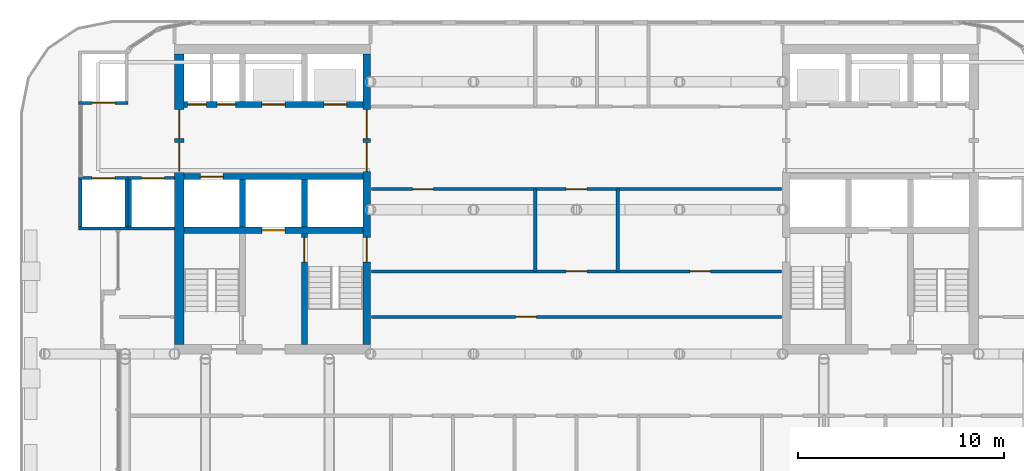
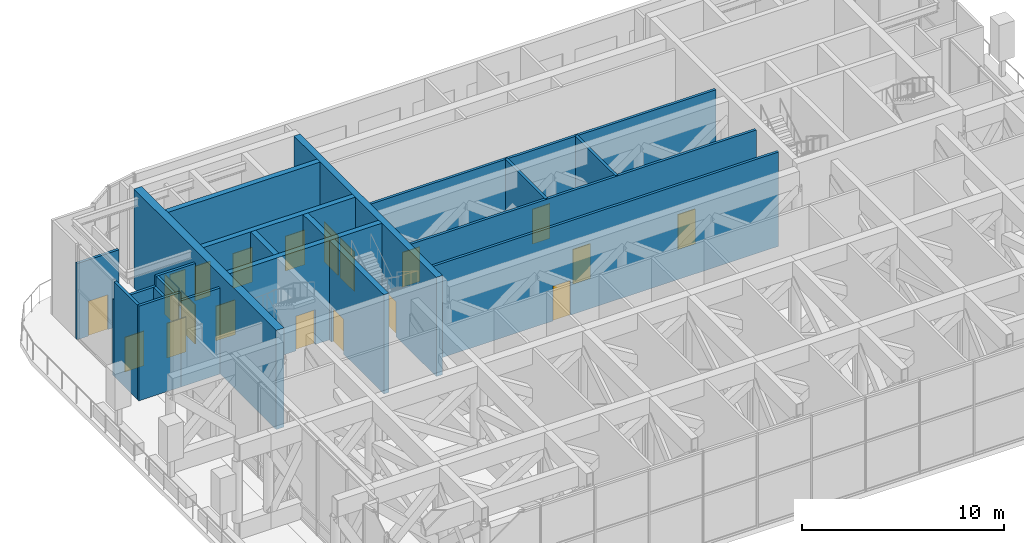
# One storey, part 13 of 21: 21 walls, 20 doors, 20 openings.
"""IFC4 building model written with IfcOpenShell, lengths in metres."""

from ifc_helpers import new_model, si_unit, direction, frame, frame_2d, origin, place, context, subcontext, project, spatial, rectangle, extrude, material, layer, layer_set, type_object, element, fill, save


model = new_model("IFC4")

# Units and contexts
model_context = context("Model", 3, precision=1e-05, world=origin(), true_north=direction((0.0, 1.0)))
body_context = subcontext(model_context, "Body", "Model", "MODEL_VIEW")
ifc_project = project(units=[si_unit("LENGTHUNIT", "METRE"), si_unit("AREAUNIT", "SQUARE_METRE"), si_unit("VOLUMEUNIT", "CUBIC_METRE"), si_unit("PLANEANGLEUNIT", "RADIAN"), si_unit("MASSUNIT", "GRAM", prefix="KILO")], contexts=[model_context])

# Site, building, storey
site_placement = place(None, origin())
site = spatial("IfcSite", under=ifc_project, at=site_placement, CompositionType="ELEMENT")
building_placement = place(site_placement, origin())
building = spatial("IfcBuilding", under=site, at=building_placement, Name="Torana Hotel and Residences", CompositionType="ELEMENT")
storey_placement = place(building_placement, frame((0.0, 0.0, 246.60009765625)))
storey = spatial("IfcBuildingStorey", under=building, at=storey_placement, Name="L65", CompositionType="ELEMENT", Elevation=246.60009765625)

# Wall, openings, doors
ifc_material_1 = material(Name="Concrete C60/75", Category="concrete")
ifc_layer_1 = layer(ifc_material_1, 0.300048828125)
ifc_layer_set_1 = layer_set([ifc_layer_1], Name="CORE WALL 300 C60/75")
wall_type_1 = type_object("IfcWallType", Name="CORE WALL 300 C60/75", PredefinedType="SHEAR", material=ifc_layer_set_1)
wall_1_placement = place(storey_placement, frame((-19.050048828125, -2.89990234375, 0.0), z_axis=(0.0, 0.0, 1.0), x_axis=(1.0, 0.0, 0.0)))
wall_1 = element("IfcWall", 1, at=wall_1_placement, inside=storey, type_object=wall_type_1, Name="Core wall W row-N", PredefinedType="SHEAR", context=body_context, shape_type="SweptSolid", body=[
    extrude(rectangle(XDim=8.699951171875, YDim=0.300048828125, at=frame_2d((4.35009765625, 0.0))), origin(), (0.0, 0.0, 1.0), 6.0),
])
opening_1_placement = place(wall_1_placement, frame((6.800048828125, 0.0, 0.0)))
opening_1 = element("IfcOpeningElement", 2, at=opening_1_placement, cuts=wall_1, Name="Opening LD", PredefinedType="OPENING", context=body_context, shape_type="SweptSolid", body=[
    extrude(rectangle(XDim=1.10009765625, YDim=2.10009765625, at=frame_2d((0.550048828125, 1.050048828125))), frame((0.0, 0.159912109375, 0.0), z_axis=(0.0, -1.0, 0.0), x_axis=(1.0, 0.0, 0.0)), (0.0, 0.0, 1.0), 0.320068359375),
])
opening_2_placement = place(wall_1_placement, frame((3.800048828125, 0.0, 0.0)))
opening_2 = element("IfcOpeningElement", 3, at=opening_2_placement, cuts=wall_1, Name="Opening LD", PredefinedType="OPENING", context=body_context, shape_type="SweptSolid", body=[
    extrude(rectangle(XDim=1.10009765625, YDim=2.10009765625, at=frame_2d((0.550048828125, 1.050048828125))), frame((0.0, 0.159912109375, 0.0), z_axis=(0.0, -1.0, 0.0), x_axis=(1.0, 0.0, 0.0)), (0.0, 0.0, 1.0), 0.320068359375),
])
opening_3_placement = place(wall_1_placement, frame((1.612548828125, 0.0, 0.0)))
opening_3 = element("IfcOpeningElement", 4, at=opening_3_placement, cuts=wall_1, Name="Opening L65-10", PredefinedType="OPENING", context=body_context, shape_type="SweptSolid", body=[
    extrude(rectangle(XDim=0.89990234375, YDim=2.10009765625, at=frame_2d((0.449951171875, 1.050048828125))), frame((0.0, 0.159912109375, 0.0), z_axis=(0.0, -1.0, 0.0), x_axis=(1.0, 0.0, 0.0)), (0.0, 0.0, 1.0), 0.320068359375),
])
opening_4_placement = place(wall_1_placement, frame((0.1875, 0.0, 0.0)))
opening_4 = element("IfcOpeningElement", 5, at=opening_4_placement, cuts=wall_1, Name="Opening L65-11", PredefinedType="OPENING", context=body_context, shape_type="SweptSolid", body=[
    extrude(rectangle(XDim=0.89990234375, YDim=2.10009765625, at=frame_2d((0.449951171875, 1.050048828125))), frame((0.0, 0.159912109375, 0.0), z_axis=(0.0, -1.0, 0.0), x_axis=(1.0, 0.0, 0.0)), (0.0, 0.0, 1.0), 0.320068359375),
])
ifc_material_2 = material(Name="Stainless steel 316", Category="steel")
door_type_1 = type_object("IfcDoorType", Name="LIFT LANDING DOOR LD 1100x2100", OperationType="DOUBLE_DOOR_SLIDING", PredefinedType="USERDEFINED", material=ifc_material_2)
door_1_placement = place(opening_1_placement, origin())
door_1 = element("IfcDoor", 6, at=door_1_placement, inside=storey, type_object=door_type_1, Name="Lift landing door H1 L65", ObjectType="LIFT LANDING DOOR", OperationType="DOUBLE_DOOR_SLIDING", OverallHeight=2.10009765625, OverallWidth=1.10009765625, PredefinedType="USERDEFINED", context=body_context, shape_type="SweptSolid", body=[
    extrude(rectangle(XDim=1.10009765625, YDim=2.10009765625, at=frame_2d((0.550048828125, 1.050048828125))), frame((0.0, 0.02490234375, 0.0), z_axis=(0.0, -1.0, 0.0), x_axis=(1.0, 0.0, 0.0)), (0.0, 0.0, 1.0), 0.050048828125),
])
fill(opening_1, door_1)
door_2_placement = place(opening_2_placement, origin())
door_2 = element("IfcDoor", 7, at=door_2_placement, inside=storey, type_object=door_type_1, Name="Lift landing door H2 L65", ObjectType="LIFT LANDING DOOR", OperationType="DOUBLE_DOOR_SLIDING", OverallHeight=2.10009765625, OverallWidth=1.10009765625, PredefinedType="USERDEFINED", context=body_context, shape_type="SweptSolid", body=[
    extrude(rectangle(XDim=1.10009765625, YDim=2.10009765625, at=frame_2d((0.550048828125, 1.050048828125))), frame((0.0, 0.02490234375, 0.0), z_axis=(0.0, -1.0, 0.0), x_axis=(1.0, 0.0, 0.0)), (0.0, 0.0, 1.0), 0.050048828125),
])
fill(opening_2, door_2)
ifc_material_3 = material(Name="Steel S235", Category="steel")
door_type_2 = type_object("IfcDoorType", Name="RISER ACCESS DOOR D5 900x2100", OperationType="SINGLE_SWING_LEFT", PredefinedType="DOOR", material=ifc_material_3)
door_3_placement = place(opening_3_placement, origin())
door_3 = element("IfcDoor", 8, at=door_3_placement, inside=storey, type_object=door_type_2, Name="N2A door L65", OperationType="SINGLE_SWING_RIGHT", OverallHeight=2.10009765625, OverallWidth=0.89990234375, PredefinedType="DOOR", context=body_context, shape_type="SweptSolid", body=[
    extrude(rectangle(XDim=0.89990234375, YDim=2.10009765625, at=frame_2d((0.449951171875, 1.050048828125))), frame((0.0, 0.02490234375, 0.0), z_axis=(0.0, -1.0, 0.0), x_axis=(1.0, 0.0, 0.0)), (0.0, 0.0, 1.0), 0.050048828125),
])
fill(opening_3, door_3)
door_4_placement = place(opening_4_placement, origin())
door_4 = element("IfcDoor", 9, at=door_4_placement, inside=storey, type_object=door_type_2, Name="N2B door L65", OperationType="SINGLE_SWING_RIGHT", OverallHeight=2.10009765625, OverallWidth=0.89990234375, PredefinedType="DOOR", context=body_context, shape_type="SweptSolid", body=[
    extrude(rectangle(XDim=0.89990234375, YDim=2.10009765625, at=frame_2d((0.449951171875, 1.050048828125))), frame((0.0, 0.02490234375, 0.0), z_axis=(0.0, -1.0, 0.0), x_axis=(1.0, 0.0, 0.0)), (0.0, 0.0, 1.0), 0.050048828125),
])
fill(opening_4, door_4)

# Wall, opening, door
wall_2_placement = place(storey_placement, frame((-19.050048828125, -6.39990234375, 0.0), z_axis=(0.0, 0.0, 1.0), x_axis=(1.0, 0.0, 0.0)))
wall_2 = element("IfcWall", 10, at=wall_2_placement, inside=storey, type_object=wall_type_1, Name="Core wall W row-S", PredefinedType="SHEAR", context=body_context, shape_type="SweptSolid", body=[
    extrude(rectangle(XDim=8.699951171875, YDim=0.300048828125, at=frame_2d((4.35009765625, 0.0))), origin(), (0.0, 0.0, 1.0), 6.0),
])
opening_5_placement = place(wall_2_placement, frame((0.800048828125, 0.0, 0.0)))
opening_5 = element("IfcOpeningElement", 11, at=opening_5_placement, cuts=wall_2, Name="Opening LD", PredefinedType="OPENING", context=body_context, shape_type="SweptSolid", body=[
    extrude(rectangle(XDim=1.10009765625, YDim=2.10009765625, at=frame_2d((0.550048828125, 1.050048828125))), frame((0.0, 0.159912109375, 0.0), z_axis=(0.0, -1.0, 0.0), x_axis=(1.0, 0.0, 0.0)), (0.0, 0.0, 1.0), 0.320068359375),
])
door_5_placement = place(opening_5_placement, origin())
door_5 = element("IfcDoor", 12, at=door_5_placement, inside=storey, type_object=door_type_1, Name="Lift landing door SV1 L65", ObjectType="LIFT LANDING DOOR", OperationType="DOUBLE_DOOR_SLIDING", OverallHeight=2.10009765625, OverallWidth=1.10009765625, PredefinedType="USERDEFINED", context=body_context, shape_type="SweptSolid", body=[
    extrude(rectangle(XDim=1.10009765625, YDim=2.10009765625, at=frame_2d((0.550048828125, 1.050048828125))), frame((0.0, 0.02490234375, 0.0), z_axis=(0.0, -1.0, 0.0), x_axis=(1.0, 0.0, 0.0)), (0.0, 0.0, 1.0), 0.050048828125),
])
fill(opening_5, door_5)

wall_3_placement = place(storey_placement, frame((-19.050048828125, -9.0, 0.0), z_axis=(0.0, 0.0, 1.0), x_axis=(1.0, 0.0, 0.0)))
wall_3 = element("IfcWall", 13, at=wall_3_placement, inside=storey, type_object=wall_type_1, Name="Core wall W band", PredefinedType="SHEAR", context=body_context, shape_type="SweptSolid", body=[
    extrude(rectangle(XDim=8.699951171875, YDim=0.300048828125, at=frame_2d((4.35009765625, 0.0))), origin(), (0.0, 0.0, 1.0), 6.0),
])
opening_6_placement = place(wall_3_placement, frame((3.800048828125, 0.0, 0.0)))
opening_6 = element("IfcOpeningElement", 14, at=opening_6_placement, cuts=wall_3, Name="Opening LD", PredefinedType="OPENING", context=body_context, shape_type="SweptSolid", body=[
    extrude(rectangle(XDim=1.10009765625, YDim=2.10009765625, at=frame_2d((0.550048828125, 1.050048828125))), frame((0.0, 0.159912109375, 0.0), z_axis=(0.0, -1.0, 0.0), x_axis=(1.0, 0.0, 0.0)), (0.0, 0.0, 1.0), 0.320068359375),
])
door_6_placement = place(opening_6_placement, origin())
door_6 = element("IfcDoor", 15, at=door_6_placement, inside=storey, type_object=door_type_1, Name="Lift landing door FF1 L65", ObjectType="LIFT LANDING DOOR", OperationType="DOUBLE_DOOR_SLIDING", OverallHeight=2.10009765625, OverallWidth=1.10009765625, PredefinedType="USERDEFINED", context=body_context, shape_type="SweptSolid", body=[
    extrude(rectangle(XDim=1.10009765625, YDim=2.10009765625, at=frame_2d((0.550048828125, 1.050048828125))), frame((0.0, 0.02490234375, 0.0), z_axis=(0.0, -1.0, 0.0), x_axis=(1.0, 0.0, 0.0)), (0.0, 0.0, 1.0), 0.050048828125),
])
fill(opening_6, door_6)

# Wall
wall_4_placement = place(storey_placement, frame((-13.199951171875, -8.85009765625, 0.0), z_axis=(0.0, 0.0, 1.0), x_axis=(0.0, 1.0, 0.0)))
element("IfcWall", 16, at=wall_4_placement, inside=storey, type_object=wall_type_1, Name="Core wall W x3.05-S", PredefinedType="SHEAR", context=body_context, shape_type="SweptSolid", body=[
    extrude(rectangle(XDim=2.300048828125, YDim=0.300048828125, at=frame_2d((1.14990234375, 0.0))), origin(), (0.0, 0.0, 1.0), 6.0),
])

# Wall, opening, door
wall_5_placement = place(storey_placement, frame((-13.199951171875, -14.550048828125, 0.0), z_axis=(0.0, 0.0, 1.0), x_axis=(0.0, 1.0, 0.0)))
wall_5 = element("IfcWall", 17, at=wall_5_placement, inside=storey, type_object=wall_type_1, Name="Core wall W x3.05-band", PredefinedType="SHEAR", context=body_context, shape_type="SweptSolid", body=[
    extrude(rectangle(XDim=5.400146484375, YDim=0.300048828125, at=frame_2d((2.7001953125, 0.0))), origin(), (0.0, 0.0, 1.0), 6.0),
])
opening_7_placement = place(wall_5_placement, frame((4.0, 0.0, 0.0)))
opening_7 = element("IfcOpeningElement", 18, at=opening_7_placement, cuts=wall_5, Name="Opening L65-12", PredefinedType="OPENING", context=body_context, shape_type="SweptSolid", body=[
    extrude(rectangle(XDim=1.199951171875, YDim=2.10009765625, at=frame_2d((0.60009765625, 1.050048828125))), frame((0.0, 0.159912109375, 0.0), z_axis=(0.0, -1.0, 0.0), x_axis=(1.0, 0.0, 0.0)), (0.0, 0.0, 1.0), 0.320068359375),
])
ifc_material_4 = material(Name="Steel S235", Category="steel")
door_type_3 = type_object("IfcDoorType", Name="STAIR FIRE DOOR D3 1200x2100", OperationType="SINGLE_SWING_LEFT", PredefinedType="DOOR", material=ifc_material_4)
door_7_placement = place(opening_7_placement, frame((0.60009765625, 0.0, 0.0), z_axis=(0.0, 0.0, 1.0), x_axis=(-1.0, 0.0, 0.0)))
door_7 = element("IfcDoor", 19, at=door_7_placement, inside=storey, type_object=door_type_3, Name="Stair-A-lobby door L65", OperationType="SINGLE_SWING_RIGHT", OverallHeight=2.10009765625, OverallWidth=1.199951171875, PredefinedType="DOOR", context=body_context, shape_type="SweptSolid", body=[
    extrude(rectangle(XDim=1.199951171875, YDim=2.10009765625, at=frame_2d((0.0, 1.050048828125))), frame((0.0, -0.02490234375, 0.0), z_axis=(0.0, 1.0, 0.0), x_axis=(-1.0, 0.0, 0.0)), (0.0, 0.0, 1.0), 0.050048828125),
])
fill(opening_7, door_7)

# Wall
wall_6_placement = place(storey_placement, frame((-16.199951171875, -8.85009765625, 0.0), z_axis=(0.0, 0.0, 1.0), x_axis=(0.0, 1.0, 0.0)))
element("IfcWall", 20, at=wall_6_placement, inside=storey, type_object=wall_type_1, Name="Core wall W x6.05-S", PredefinedType="SHEAR", context=body_context, shape_type="SweptSolid", body=[
    extrude(rectangle(XDim=2.300048828125, YDim=0.300048828125, at=frame_2d((1.14990234375, 0.0))), origin(), (0.0, 0.0, 1.0), 6.0),
])

# Wall, openings, doors
ifc_material_5 = material(Name="Concrete C60/75", Category="concrete")
ifc_layer_2 = layer(ifc_material_5, 0.35009765625)
ifc_layer_set_2 = layer_set([ifc_layer_2], Name="CORE WALL 350 C60/75")
wall_type_2 = type_object("IfcWallType", Name="CORE WALL 350 C60/75", PredefinedType="SHEAR", material=ifc_layer_set_2)
wall_7_placement = place(storey_placement, frame((-10.175048828125, -14.550048828125, 0.0), z_axis=(0.0, 0.0, 1.0), x_axis=(0.0, 1.0, 0.0)))
wall_7 = element("IfcWall", 21, at=wall_7_placement, inside=storey, type_object=wall_type_2, Name="Core wall W arch", PredefinedType="SHEAR", context=body_context, shape_type="SweptSolid", body=[
    extrude(rectangle(XDim=14.10009765625, YDim=0.35009765625, at=frame_2d((7.050048828125, 0.0))), origin(), (0.0, 0.0, 1.0), 6.0),
])
opening_8_placement = place(wall_7_placement, frame((8.39990234375, 0.0, 0.0)))
opening_8 = element("IfcOpeningElement", 22, at=opening_8_placement, cuts=wall_7, Name="Opening L65-05", PredefinedType="OPENING", context=body_context, shape_type="SweptSolid", body=[
    extrude(rectangle(XDim=1.39990234375, YDim=2.39990234375, at=frame_2d((0.699951171875, 1.199951171875))), frame((0.0, 0.18505859375, 0.0), z_axis=(0.0, -1.0, 0.0), x_axis=(1.0, 0.0, 0.0)), (0.0, 0.0, 1.0), 0.3701171875),
])
opening_9_placement = place(wall_7_placement, frame((10.0, 0.0, 0.0)))
opening_9 = element("IfcOpeningElement", 23, at=opening_9_placement, cuts=wall_7, Name="Opening L65-06", PredefinedType="OPENING", context=body_context, shape_type="SweptSolid", body=[
    extrude(rectangle(XDim=1.39990234375, YDim=2.39990234375, at=frame_2d((0.699951171875, 1.199951171875))), frame((0.0, 0.18505859375, 0.0), z_axis=(0.0, -1.0, 0.0), x_axis=(1.0, 0.0, 0.0)), (0.0, 0.0, 1.0), 0.3701171875),
])
opening_10_placement = place(wall_7_placement, frame((4.0, 0.0, 0.0)))
opening_10 = element("IfcOpeningElement", 24, at=opening_10_placement, cuts=wall_7, Name="Opening L65-07", PredefinedType="OPENING", context=body_context, shape_type="SweptSolid", body=[
    extrude(rectangle(XDim=1.199951171875, YDim=2.10009765625, at=frame_2d((0.60009765625, 1.050048828125))), frame((0.0, 0.18505859375, 0.0), z_axis=(0.0, -1.0, 0.0), x_axis=(1.0, 0.0, 0.0)), (0.0, 0.0, 1.0), 0.3701171875),
])
ifc_material_6 = material(Name="Steel S235", Category="steel")
door_type_4 = type_object("IfcDoorType", Name="LOBBY FIRE DOOR D4 1400x2400", OperationType="DOUBLE_DOOR_SINGLE_SWING", PredefinedType="DOOR", material=ifc_material_6)
door_8_placement = place(opening_8_placement, origin())
door_8 = element("IfcDoor", 25, at=door_8_placement, inside=storey, type_object=door_type_4, Name="Lobby-1 door L65", OperationType="DOUBLE_DOOR_SINGLE_SWING", OverallHeight=2.39990234375, OverallWidth=1.39990234375, PredefinedType="DOOR", context=body_context, shape_type="SweptSolid", body=[
    extrude(rectangle(XDim=1.39990234375, YDim=2.39990234375, at=frame_2d((0.699951171875, 1.199951171875))), frame((0.0, 0.02490234375, 0.0), z_axis=(0.0, -1.0, 0.0), x_axis=(1.0, 0.0, 0.0)), (0.0, 0.0, 1.0), 0.050048828125),
])
fill(opening_8, door_8)
door_9_placement = place(opening_9_placement, origin())
door_9 = element("IfcDoor", 26, at=door_9_placement, inside=storey, type_object=door_type_4, Name="Lobby-2 door L65", OperationType="DOUBLE_DOOR_SINGLE_SWING", OverallHeight=2.39990234375, OverallWidth=1.39990234375, PredefinedType="DOOR", context=body_context, shape_type="SweptSolid", body=[
    extrude(rectangle(XDim=1.39990234375, YDim=2.39990234375, at=frame_2d((0.699951171875, 1.199951171875))), frame((0.0, 0.02490234375, 0.0), z_axis=(0.0, -1.0, 0.0), x_axis=(1.0, 0.0, 0.0)), (0.0, 0.0, 1.0), 0.050048828125),
])
fill(opening_9, door_9)
door_10_placement = place(opening_10_placement, origin())
door_10 = element("IfcDoor", 27, at=door_10_placement, inside=storey, type_object=door_type_3, Name="Stair-A door L65", OperationType="SINGLE_SWING_LEFT", OverallHeight=2.10009765625, OverallWidth=1.199951171875, PredefinedType="DOOR", context=body_context, shape_type="SweptSolid", body=[
    extrude(rectangle(XDim=1.199951171875, YDim=2.10009765625, at=frame_2d((0.60009765625, 1.050048828125))), frame((0.0, 0.02490234375, 0.0), z_axis=(0.0, -1.0, 0.0), x_axis=(1.0, 0.0, 0.0)), (0.0, 0.0, 1.0), 0.050048828125),
])
fill(opening_10, door_10)

ifc_material_7 = material(Name="Concrete C60/75", Category="concrete")
ifc_layer_3 = layer(ifc_material_7, 0.449951171875)
ifc_layer_set_3 = layer_set([ifc_layer_3], Name="CORE WALL 450 C60/75")
wall_type_3 = type_object("IfcWallType", Name="CORE WALL 450 C60/75", PredefinedType="SHEAR", material=ifc_layer_set_3)
wall_8_placement = place(storey_placement, frame((-19.27490234375, -14.550048828125, 0.0), z_axis=(0.0, 0.0, 1.0), x_axis=(0.0, 1.0, 0.0)))
wall_8 = element("IfcWall", 28, at=wall_8_placement, inside=storey, type_object=wall_type_3, Name="Core wall W outer", PredefinedType="SHEAR", context=body_context, shape_type="SweptSolid", body=[
    extrude(rectangle(XDim=14.10009765625, YDim=0.449951171875, at=frame_2d((7.050048828125, 0.0))), origin(), (0.0, 0.0, 1.0), 6.0),
])
opening_11_placement = place(wall_8_placement, frame((8.39990234375, 0.0, 0.0)))
opening_11 = element("IfcOpeningElement", 29, at=opening_11_placement, cuts=wall_8, Name="Opening L65-01", PredefinedType="OPENING", context=body_context, shape_type="SweptSolid", body=[
    extrude(rectangle(XDim=1.39990234375, YDim=2.39990234375, at=frame_2d((0.699951171875, 1.199951171875))), frame((0.0, 0.23486328125, 0.0), z_axis=(0.0, -1.0, 0.0), x_axis=(1.0, 0.0, 0.0)), (0.0, 0.0, 1.0), 0.469970703125),
])
opening_12_placement = place(wall_8_placement, frame((10.0, 0.0, 0.0)))
opening_12 = element("IfcOpeningElement", 30, at=opening_12_placement, cuts=wall_8, Name="Opening L65-02", PredefinedType="OPENING", context=body_context, shape_type="SweptSolid", body=[
    extrude(rectangle(XDim=1.39990234375, YDim=2.39990234375, at=frame_2d((0.699951171875, 1.199951171875))), frame((0.0, 0.23486328125, 0.0), z_axis=(0.0, -1.0, 0.0), x_axis=(1.0, 0.0, 0.0)), (0.0, 0.0, 1.0), 0.469970703125),
])
door_11_placement = place(opening_11_placement, origin())
door_11 = element("IfcDoor", 31, at=door_11_placement, inside=storey, type_object=door_type_4, Name="Lobby-M1 door L65", OperationType="DOUBLE_DOOR_SINGLE_SWING", OverallHeight=2.39990234375, OverallWidth=1.39990234375, PredefinedType="DOOR", context=body_context, shape_type="SweptSolid", body=[
    extrude(rectangle(XDim=1.39990234375, YDim=2.39990234375, at=frame_2d((0.699951171875, 1.199951171875))), frame((0.0, 0.02490234375, 0.0), z_axis=(0.0, -1.0, 0.0), x_axis=(1.0, 0.0, 0.0)), (0.0, 0.0, 1.0), 0.050048828125),
])
fill(opening_11, door_11)
door_12_placement = place(opening_12_placement, origin())
door_12 = element("IfcDoor", 32, at=door_12_placement, inside=storey, type_object=door_type_4, Name="Lobby-M2 door L65", OperationType="DOUBLE_DOOR_SINGLE_SWING", OverallHeight=2.39990234375, OverallWidth=1.39990234375, PredefinedType="DOOR", context=body_context, shape_type="SweptSolid", body=[
    extrude(rectangle(XDim=1.39990234375, YDim=2.39990234375, at=frame_2d((0.699951171875, 1.199951171875))), frame((0.0, 0.02490234375, 0.0), z_axis=(0.0, -1.0, 0.0), x_axis=(1.0, 0.0, 0.0)), (0.0, 0.0, 1.0), 0.050048828125),
])
fill(opening_12, door_12)

# Walls
ifc_material_8 = material(Name="Gypsum plaster")
ifc_layer_4 = layer(ifc_material_8, 0.014892578125, Name="Plaster", Category="finish")
ifc_material_9 = material(Name="Concrete blockwork", Category="masonry")
ifc_layer_5 = layer(ifc_material_9, 0.1201171875, Name="Blockwork", Category="structure")
ifc_layer_6 = layer(ifc_material_8, 0.014892578125, Name="Plaster", Category="finish")
ifc_layer_set_4 = layer_set([ifc_layer_4, ifc_layer_5, ifc_layer_6], Name="FIRE PARTITION 150 BLOCKWORK")
wall_type_4 = type_object("IfcWallType", Name="FIRE PARTITION 150 BLOCKWORK", PredefinedType="PARTITIONING", material=ifc_layer_set_4)
for number, where, z_axis, x_axis, name in (
    (33, (2.0, -11.0, 0.0), (0.0, 0.0, 1.0), (0.0, 1.0, 0.0), "Partition L65"),
    (34, (-2.0, -11.0, 0.0), (0.0, 0.0, 1.0), (0.0, 1.0, 0.0), "Partition L65"),
):
    element("IfcWall", number, at=place(storey_placement, frame(where, z_axis=z_axis, x_axis=x_axis)), inside=storey, type_object=wall_type_4, Name=name, PredefinedType="PARTITIONING", context=body_context, shape_type="SweptSolid", body=[
        extrude(rectangle(XDim=4.0, YDim=0.14990234375, at=frame_2d((2.0, 0.0))), origin(), (0.0, 0.0, 1.0), 5.699951171875),
    ])

# Wall, opening, door
wall_9_placement = place(storey_placement, frame((-9.949951171875, -13.199951171875, 0.0), z_axis=(0.0, 0.0, 1.0), x_axis=(1.0, 0.0, 0.0)))
wall_9 = element("IfcWall", 35, at=wall_9_placement, inside=storey, type_object=wall_type_4, Name="Partition L65", PredefinedType="PARTITIONING", context=body_context, shape_type="SweptSolid", body=[
    extrude(rectangle(XDim=19.89990234375, YDim=0.14990234375, at=frame_2d((9.949951171875, 0.0))), origin(), (0.0, 0.0, 1.0), 5.699951171875),
])
opening_13_placement = place(wall_9_placement, frame((7.0, 0.0, 0.0)))
opening_13 = element("IfcOpeningElement", 36, at=opening_13_placement, cuts=wall_9, Name="Opening L65-23", PredefinedType="OPENING", context=body_context, shape_type="SweptSolid", body=[
    extrude(rectangle(XDim=1.0, YDim=2.10009765625, at=frame_2d((0.5, 1.050048828125))), frame((0.0, 0.0849609375, 0.0), z_axis=(0.0, -1.0, 0.0), x_axis=(1.0, 0.0, 0.0)), (0.0, 0.0, 1.0), 0.169921875),
])
ifc_material_10 = material(Name="Steel S235", Category="steel")
door_type_5 = type_object("IfcDoorType", Name="ENTRY FIRE DOOR D6 1000x2100", OperationType="SINGLE_SWING_LEFT", PredefinedType="DOOR", material=ifc_material_10)
door_13_placement = place(opening_13_placement, origin())
door_13 = element("IfcDoor", 37, at=door_13_placement, inside=storey, type_object=door_type_5, Name="Door L65", OperationType="SINGLE_SWING_RIGHT", OverallHeight=2.10009765625, OverallWidth=1.0, PredefinedType="DOOR", context=body_context, shape_type="SweptSolid", body=[
    extrude(rectangle(XDim=1.0, YDim=2.10009765625, at=frame_2d((0.5, 1.050048828125))), frame((0.0, 0.02490234375, 0.0), z_axis=(0.0, -1.0, 0.0), x_axis=(1.0, 0.0, 0.0)), (0.0, 0.0, 1.0), 0.050048828125),
])
fill(opening_13, door_13)

# Wall, openings, doors
wall_10_placement = place(storey_placement, frame((-9.949951171875, -11.0, 0.0), z_axis=(0.0, 0.0, 1.0), x_axis=(1.0, 0.0, 0.0)))
wall_10 = element("IfcWall", 38, at=wall_10_placement, inside=storey, type_object=wall_type_4, Name="Partition L65", PredefinedType="PARTITIONING", context=body_context, shape_type="SweptSolid", body=[
    extrude(rectangle(XDim=19.89990234375, YDim=0.14990234375, at=frame_2d((9.949951171875, 0.0))), origin(), (0.0, 0.0, 1.0), 5.699951171875),
])
opening_14_placement = place(wall_10_placement, frame((9.449951171875, 0.0, 0.0)))
opening_14 = element("IfcOpeningElement", 39, at=opening_14_placement, cuts=wall_10, Name="Opening L65-35", PredefinedType="OPENING", context=body_context, shape_type="SweptSolid", body=[
    extrude(rectangle(XDim=1.0, YDim=2.10009765625, at=frame_2d((0.5, 1.050048828125))), frame((0.0, 0.0849609375, 0.0), z_axis=(0.0, -1.0, 0.0), x_axis=(1.0, 0.0, 0.0)), (0.0, 0.0, 1.0), 0.169921875),
])
opening_15_placement = place(wall_10_placement, frame((15.449951171875, 0.0, 0.0)))
opening_15 = element("IfcOpeningElement", 40, at=opening_15_placement, cuts=wall_10, Name="Opening L65-36", PredefinedType="OPENING", context=body_context, shape_type="SweptSolid", body=[
    extrude(rectangle(XDim=1.0, YDim=2.10009765625, at=frame_2d((0.5, 1.050048828125))), frame((0.0, 0.0849609375, 0.0), z_axis=(0.0, -1.0, 0.0), x_axis=(1.0, 0.0, 0.0)), (0.0, 0.0, 1.0), 0.169921875),
])
door_14_placement = place(opening_14_placement, origin())
door_14 = element("IfcDoor", 41, at=door_14_placement, inside=storey, type_object=door_type_5, Name="Door L65", OperationType="SINGLE_SWING_RIGHT", OverallHeight=2.10009765625, OverallWidth=1.0, PredefinedType="DOOR", context=body_context, shape_type="SweptSolid", body=[
    extrude(rectangle(XDim=1.0, YDim=2.10009765625, at=frame_2d((0.5, 1.050048828125))), frame((0.0, 0.02490234375, 0.0), z_axis=(0.0, -1.0, 0.0), x_axis=(1.0, 0.0, 0.0)), (0.0, 0.0, 1.0), 0.050048828125),
])
fill(opening_14, door_14)
door_15_placement = place(opening_15_placement, origin())
door_15 = element("IfcDoor", 42, at=door_15_placement, inside=storey, type_object=door_type_5, Name="Door L65", OperationType="SINGLE_SWING_RIGHT", OverallHeight=2.10009765625, OverallWidth=1.0, PredefinedType="DOOR", context=body_context, shape_type="SweptSolid", body=[
    extrude(rectangle(XDim=1.0, YDim=2.10009765625, at=frame_2d((0.5, 1.050048828125))), frame((0.0, 0.02490234375, 0.0), z_axis=(0.0, -1.0, 0.0), x_axis=(1.0, 0.0, 0.0)), (0.0, 0.0, 1.0), 0.050048828125),
])
fill(opening_15, door_15)

wall_11_placement = place(storey_placement, frame((-9.949951171875, -7.0, 0.0), z_axis=(0.0, 0.0, 1.0), x_axis=(1.0, 0.0, 0.0)))
wall_11 = element("IfcWall", 43, at=wall_11_placement, inside=storey, type_object=wall_type_4, Name="Partition L65", PredefinedType="PARTITIONING", context=body_context, shape_type="SweptSolid", body=[
    extrude(rectangle(XDim=19.89990234375, YDim=0.14990234375, at=frame_2d((9.949951171875, 0.0))), origin(), (0.0, 0.0, 1.0), 5.699951171875),
])
opening_16_placement = place(wall_11_placement, frame((9.449951171875, 0.0, 0.0)))
opening_16 = element("IfcOpeningElement", 44, at=opening_16_placement, cuts=wall_11, Name="Opening L65-37", PredefinedType="OPENING", context=body_context, shape_type="SweptSolid", body=[
    extrude(rectangle(XDim=1.0, YDim=2.10009765625, at=frame_2d((0.5, 1.050048828125))), frame((0.0, 0.0849609375, 0.0), z_axis=(0.0, -1.0, 0.0), x_axis=(1.0, 0.0, 0.0)), (0.0, 0.0, 1.0), 0.169921875),
])
opening_17_placement = place(wall_11_placement, frame((2.0, 0.0, 0.0)))
opening_17 = element("IfcOpeningElement", 45, at=opening_17_placement, cuts=wall_11, Name="Opening L65-38", PredefinedType="OPENING", context=body_context, shape_type="SweptSolid", body=[
    extrude(rectangle(XDim=1.0, YDim=2.10009765625, at=frame_2d((0.5, 1.050048828125))), frame((0.0, 0.0849609375, 0.0), z_axis=(0.0, -1.0, 0.0), x_axis=(1.0, 0.0, 0.0)), (0.0, 0.0, 1.0), 0.169921875),
])
door_16_placement = place(opening_16_placement, origin())
door_16 = element("IfcDoor", 46, at=door_16_placement, inside=storey, type_object=door_type_5, Name="Door L65", OperationType="SINGLE_SWING_RIGHT", OverallHeight=2.10009765625, OverallWidth=1.0, PredefinedType="DOOR", context=body_context, shape_type="SweptSolid", body=[
    extrude(rectangle(XDim=1.0, YDim=2.10009765625, at=frame_2d((0.5, 1.050048828125))), frame((0.0, 0.02490234375, 0.0), z_axis=(0.0, -1.0, 0.0), x_axis=(1.0, 0.0, 0.0)), (0.0, 0.0, 1.0), 0.050048828125),
])
fill(opening_16, door_16)
door_17_placement = place(opening_17_placement, frame((0.5, 0.0, 0.0), z_axis=(0.0, 0.0, 1.0), x_axis=(-1.0, 0.0, 0.0)))
door_17 = element("IfcDoor", 47, at=door_17_placement, inside=storey, type_object=door_type_5, Name="Door L65", OperationType="SINGLE_SWING_LEFT", OverallHeight=2.10009765625, OverallWidth=1.0, PredefinedType="DOOR", context=body_context, shape_type="SweptSolid", body=[
    extrude(rectangle(XDim=1.0, YDim=2.10009765625, at=frame_2d((0.0, 1.050048828125))), frame((0.0, -0.02490234375, 0.0), z_axis=(0.0, 1.0, 0.0), x_axis=(-1.0, 0.0, 0.0)), (0.0, 0.0, 1.0), 0.050048828125),
])
fill(opening_17, door_17)

# Wall
ifc_material_11 = material(Name="Concrete C40/50", Category="concrete")
ifc_layer_7 = layer(ifc_material_11, 0.14990234375)
ifc_layer_set_5 = layer_set([ifc_layer_7], Name="LIFT SHAFT WALL 150")
wall_type_5 = type_object("IfcWallType", Name="LIFT SHAFT WALL 150", PredefinedType="PARTITIONING", material=ifc_layer_set_5)
wall_12_placement = place(storey_placement, frame((-21.75, -8.925048828125, 0.0), z_axis=(0.0, 0.0, 1.0), x_axis=(1.0, 0.0, 0.0)))
element("IfcWall", 48, at=wall_12_placement, inside=storey, type_object=wall_type_5, Name="Lift shaft wall S3 L65", PredefinedType="PARTITIONING", context=body_context, shape_type="SweptSolid", body=[
    extrude(rectangle(XDim=2.25, YDim=0.14990234375, at=frame_2d((1.125, 0.0))), origin(), (0.0, 0.0, 1.0), 5.199951171875),
])

# Wall, opening, door
wall_13_placement = place(storey_placement, frame((-21.75, -6.47509765625, 0.0), z_axis=(0.0, 0.0, 1.0), x_axis=(1.0, 0.0, 0.0)))
wall_13 = element("IfcWall", 49, at=wall_13_placement, inside=storey, type_object=wall_type_5, Name="Lift shaft wall S3 L65", PredefinedType="PARTITIONING", context=body_context, shape_type="SweptSolid", body=[
    extrude(rectangle(XDim=2.25, YDim=0.14990234375, at=frame_2d((1.125, 0.0))), origin(), (0.0, 0.0, 1.0), 5.199951171875),
])
opening_18_placement = place(wall_13_placement, frame((0.64990234375, 0.0, 0.0)))
opening_18 = element("IfcOpeningElement", 50, at=opening_18_placement, cuts=wall_13, Name="Opening LD", PredefinedType="OPENING", context=body_context, shape_type="SweptSolid", body=[
    extrude(rectangle(XDim=1.10009765625, YDim=2.10009765625, at=frame_2d((0.550048828125, 1.050048828125))), frame((0.0, 0.0849609375, 0.0), z_axis=(0.0, -1.0, 0.0), x_axis=(1.0, 0.0, 0.0)), (0.0, 0.0, 1.0), 0.169921875),
])
door_18_placement = place(opening_18_placement, origin())
door_18 = element("IfcDoor", 51, at=door_18_placement, inside=storey, type_object=door_type_1, Name="Lift landing door S3 L65", ObjectType="LIFT LANDING DOOR", OperationType="DOUBLE_DOOR_SLIDING", OverallHeight=2.10009765625, OverallWidth=1.10009765625, PredefinedType="USERDEFINED", context=body_context, shape_type="SweptSolid", body=[
    extrude(rectangle(XDim=1.10009765625, YDim=2.10009765625, at=frame_2d((0.550048828125, 1.050048828125))), frame((0.0, 0.02490234375, 0.0), z_axis=(0.0, -1.0, 0.0), x_axis=(1.0, 0.0, 0.0)), (0.0, 0.0, 1.0), 0.050048828125),
])
fill(opening_18, door_18)

# Wall
wall_14_placement = place(storey_placement, frame((-21.675048828125, -8.85009765625, 0.0), z_axis=(0.0, 0.0, 1.0), x_axis=(0.0, 1.0, 0.0)))
element("IfcWall", 52, at=wall_14_placement, inside=storey, type_object=wall_type_5, Name="Lift shaft wall S3 L65", PredefinedType="PARTITIONING", context=body_context, shape_type="SweptSolid", body=[
    extrude(rectangle(XDim=2.300048828125, YDim=0.14990234375, at=frame_2d((1.14990234375, 0.0))), origin(), (0.0, 0.0, 1.0), 5.199951171875),
])

# Wall, opening, door
wall_15_placement = place(storey_placement, frame((-24.14990234375, -2.824951171875, 0.0), z_axis=(0.0, 0.0, 1.0), x_axis=(1.0, 0.0, 0.0)))
wall_15 = element("IfcWall", 53, at=wall_15_placement, inside=storey, type_object=wall_type_5, Name="Lift shaft wall M1 L65", PredefinedType="PARTITIONING", context=body_context, shape_type="SweptSolid", body=[
    extrude(rectangle(XDim=2.39990234375, YDim=0.14990234375, at=frame_2d((1.199951171875, 0.0))), origin(), (0.0, 0.0, 1.0), 4.599853515625),
])
opening_19_placement = place(wall_15_placement, frame((0.64990234375, 0.0, 0.0)))
opening_19 = element("IfcOpeningElement", 54, at=opening_19_placement, cuts=wall_15, Name="Opening LD", PredefinedType="OPENING", context=body_context, shape_type="SweptSolid", body=[
    extrude(rectangle(XDim=1.10009765625, YDim=2.10009765625, at=frame_2d((0.550048828125, 1.050048828125))), frame((0.0, 0.0849609375, 0.0), z_axis=(0.0, -1.0, 0.0), x_axis=(1.0, 0.0, 0.0)), (0.0, 0.0, 1.0), 0.169921875),
])
door_19_placement = place(opening_19_placement, origin())
door_19 = element("IfcDoor", 55, at=door_19_placement, inside=storey, type_object=door_type_1, Name="Lift landing door M1 L65", ObjectType="LIFT LANDING DOOR", OperationType="DOUBLE_DOOR_SLIDING", OverallHeight=2.10009765625, OverallWidth=1.10009765625, PredefinedType="USERDEFINED", context=body_context, shape_type="SweptSolid", body=[
    extrude(rectangle(XDim=1.10009765625, YDim=2.10009765625, at=frame_2d((0.550048828125, 1.050048828125))), frame((0.0, 0.02490234375, 0.0), z_axis=(0.0, -1.0, 0.0), x_axis=(1.0, 0.0, 0.0)), (0.0, 0.0, 1.0), 0.050048828125),
])
fill(opening_19, door_19)

# Wall
wall_16_placement = place(storey_placement, frame((-24.14990234375, -8.925048828125, 0.0), z_axis=(0.0, 0.0, 1.0), x_axis=(1.0, 0.0, 0.0)))
element("IfcWall", 56, at=wall_16_placement, inside=storey, type_object=wall_type_5, Name="Lift shaft wall M2 L65", PredefinedType="PARTITIONING", context=body_context, shape_type="SweptSolid", body=[
    extrude(rectangle(XDim=2.39990234375, YDim=0.14990234375, at=frame_2d((1.199951171875, 0.0))), origin(), (0.0, 0.0, 1.0), 5.719970703125),
])

# Wall, opening, door
wall_17_placement = place(storey_placement, frame((-24.14990234375, -6.47509765625, 0.0), z_axis=(0.0, 0.0, 1.0), x_axis=(1.0, 0.0, 0.0)))
wall_17 = element("IfcWall", 57, at=wall_17_placement, inside=storey, type_object=wall_type_5, Name="Lift shaft wall M2 L65", PredefinedType="PARTITIONING", context=body_context, shape_type="SweptSolid", body=[
    extrude(rectangle(XDim=2.39990234375, YDim=0.14990234375, at=frame_2d((1.199951171875, 0.0))), origin(), (0.0, 0.0, 1.0), 4.599853515625),
])
opening_20_placement = place(wall_17_placement, frame((0.64990234375, 0.0, 0.0)))
opening_20 = element("IfcOpeningElement", 58, at=opening_20_placement, cuts=wall_17, Name="Opening LD", PredefinedType="OPENING", context=body_context, shape_type="SweptSolid", body=[
    extrude(rectangle(XDim=1.10009765625, YDim=2.10009765625, at=frame_2d((0.550048828125, 1.050048828125))), frame((0.0, 0.0849609375, 0.0), z_axis=(0.0, -1.0, 0.0), x_axis=(1.0, 0.0, 0.0)), (0.0, 0.0, 1.0), 0.169921875),
])
door_20_placement = place(opening_20_placement, origin())
door_20 = element("IfcDoor", 59, at=door_20_placement, inside=storey, type_object=door_type_1, Name="Lift landing door M2 L65", ObjectType="LIFT LANDING DOOR", OperationType="DOUBLE_DOOR_SLIDING", OverallHeight=2.10009765625, OverallWidth=1.10009765625, PredefinedType="USERDEFINED", context=body_context, shape_type="SweptSolid", body=[
    extrude(rectangle(XDim=1.10009765625, YDim=2.10009765625, at=frame_2d((0.550048828125, 1.050048828125))), frame((0.0, 0.02490234375, 0.0), z_axis=(0.0, -1.0, 0.0), x_axis=(1.0, 0.0, 0.0)), (0.0, 0.0, 1.0), 0.050048828125),
])
fill(opening_20, door_20)

# Walls
wall_18_placement = place(storey_placement, frame((-24.074951171875, -8.85009765625, 0.0), z_axis=(0.0, 0.0, 1.0), x_axis=(0.0, 1.0, 0.0)))
element("IfcWall", 60, at=wall_18_placement, inside=storey, type_object=wall_type_5, Name="Lift shaft wall M2 L65", PredefinedType="PARTITIONING", context=body_context, shape_type="SweptSolid", body=[
    extrude(rectangle(XDim=2.300048828125, YDim=0.14990234375, at=frame_2d((1.14990234375, 0.0))), origin(), (0.0, 0.0, 1.0), 5.719970703125),
])
wall_19_placement = place(storey_placement, frame((-21.824951171875, -8.85009765625, 0.0), z_axis=(0.0, 0.0, 1.0), x_axis=(0.0, 1.0, 0.0)))
element("IfcWall", 61, at=wall_19_placement, inside=storey, type_object=wall_type_5, Name="Lift shaft wall M2 L65", PredefinedType="PARTITIONING", context=body_context, shape_type="SweptSolid", body=[
    extrude(rectangle(XDim=2.300048828125, YDim=0.14990234375, at=frame_2d((1.14990234375, 0.0))), origin(), (0.0, 0.0, 1.0), 4.599853515625),
])

save(model, "model.ifc")
